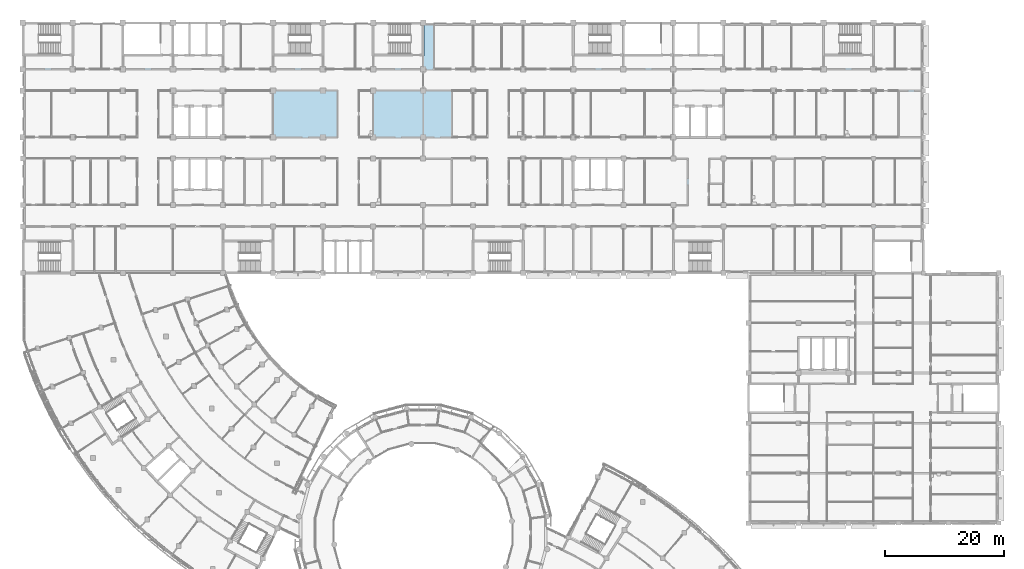
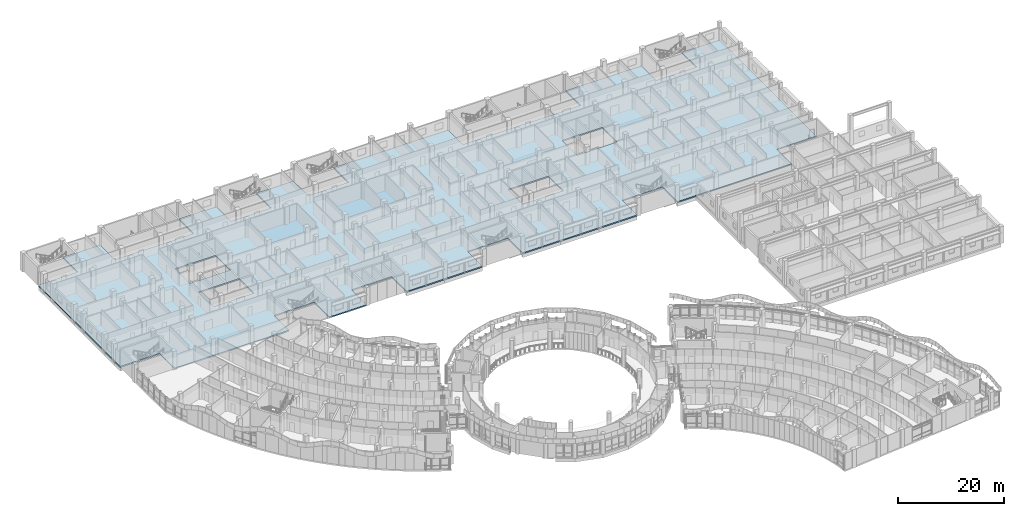
# One storey, part 41 of 109: 1 slab.
"""IFC4 building model written with IfcOpenShell, lengths in metres."""

from ifc_helpers import new_model, si_unit, direction, frame, origin, place, context, subcontext, project, spatial, polyline, outline, extrude, material, layer, layer_set, type_object, element, save


model = new_model("IFC4")

# Units and contexts
model_context = context("Model", 3, precision=1e-05, world=origin(), true_north=direction((0.0, 1.0)))
body_context = subcontext(model_context, "Body", "Model", "MODEL_VIEW")
ifc_project = project(units=[si_unit("LENGTHUNIT", "METRE"), si_unit("AREAUNIT", "SQUARE_METRE"), si_unit("VOLUMEUNIT", "CUBIC_METRE"), si_unit("PLANEANGLEUNIT", "RADIAN"), si_unit("MASSUNIT", "GRAM", prefix="KILO")], contexts=[model_context])

# Site, building, storey
site_placement = place(None, origin())
site = spatial("IfcSite", under=ifc_project, at=site_placement, CompositionType="ELEMENT")
building_placement = place(site_placement, origin())
building = spatial("IfcBuilding", under=site, at=building_placement, Name="Bougainvillea Quay General Hospital", CompositionType="ELEMENT")
storey_placement = place(building_placement, frame((0.0, 0.0, 12.60009765625)))
storey = spatial("IfcBuildingStorey", under=building, at=storey_placement, Name="L02", CompositionType="ELEMENT", Elevation=12.60009765625)

# Slab
ifc_material = material(Name="Concrete C35", Category="concrete")
ifc_layer = layer(ifc_material, 0.300048828125)
ifc_layer_set = layer_set([ifc_layer], Name="Concrete C35")
slab_type = type_object("IfcSlabType", Name="RC FLAT SLAB 300 C35", PredefinedType="FLOOR", material=ifc_layer_set)
slab_placement = place(storey_placement, frame((0.0, 0.0, -0.300048828125)))
element("IfcSlab", 1, at=slab_placement, inside=storey, type_object=slab_type, Name="Slab S3 L02", PredefinedType="FLOOR", context=body_context, shape_type="SweptSolid", body=[
    extrude(outline(polyline([(83.824951171875, 159.60009765625), (75.77490234375, 159.60009765625), (75.77490234375, 154.02490234375), (75.425048828125, 154.02490234375), (72.800048828125, 154.02490234375), (70.0, 154.02490234375), (67.199951171875, 154.02490234375), (58.97509765625, 154.02490234375), (58.625, 154.02490234375), (58.625, 159.425048828125), (58.625, 159.60009765625), (50.574951171875, 159.60009765625), (50.574951171875, 154.02490234375), (50.22509765625, 154.02490234375), (42.175048828125, 154.02490234375), (42.0, 154.02490234375), (42.0, 123.175048828125), (50.22509765625, 123.175048828125), (50.574951171875, 123.175048828125), (50.574951171875, 117.60009765625), (75.425048828125, 117.60009765625), (75.425048828125, 122.824951171875), (75.425048828125, 123.175048828125), (83.824951171875, 123.175048828125), (84.175048828125, 123.175048828125), (84.175048828125, 117.60009765625), (92.22509765625, 117.60009765625), (92.22509765625, 122.824951171875), (92.22509765625, 123.175048828125), (94.5, 123.175048828125), (96.60009765625, 123.175048828125), (98.699951171875, 123.175048828125), (100.625, 123.175048828125), (100.97509765625, 123.175048828125), (100.97509765625, 117.60009765625), (117.425048828125, 117.60009765625), (117.425048828125, 122.824951171875), (117.425048828125, 123.175048828125), (125.824951171875, 123.175048828125), (126.175048828125, 123.175048828125), (126.175048828125, 117.60009765625), (151.02490234375, 117.60009765625), (151.02490234375, 122.824951171875), (151.02490234375, 123.175048828125), (159.425048828125, 123.175048828125), (159.77490234375, 123.175048828125), (159.77490234375, 117.60009765625), (184.625, 117.60009765625), (184.625, 122.824951171875), (184.625, 123.175048828125), (193.02490234375, 123.175048828125), (193.199951171875, 123.175048828125), (193.199951171875, 159.60009765625), (184.97509765625, 159.60009765625), (184.97509765625, 154.02490234375), (184.625, 154.02490234375), (176.574951171875, 154.02490234375), (176.22509765625, 154.02490234375), (176.22509765625, 159.425048828125), (176.22509765625, 159.60009765625), (159.77490234375, 159.60009765625), (159.77490234375, 154.02490234375), (159.425048828125, 154.02490234375), (155.39990234375, 154.02490234375), (151.199951171875, 154.02490234375), (142.800048828125, 154.02490234375), (134.574951171875, 154.02490234375), (134.22509765625, 154.02490234375), (134.22509765625, 159.425048828125), (134.22509765625, 159.60009765625), (109.375, 159.60009765625), (109.375, 154.02490234375), (109.02490234375, 154.02490234375), (100.97509765625, 154.02490234375), (100.625, 154.02490234375), (100.625, 159.425048828125), (100.625, 159.60009765625), (92.574951171875, 159.60009765625), (92.574951171875, 154.02490234375), (92.22509765625, 154.02490234375), (84.175048828125, 154.02490234375), (83.824951171875, 154.02490234375), (83.824951171875, 159.425048828125), (83.824951171875, 159.60009765625)]), holes=[polyline([(151.02490234375, 140.22509765625), (151.02490234375, 145.425048828125), (151.02490234375, 145.77490234375), (154.0, 145.77490234375), (156.800048828125, 145.77490234375), (159.425048828125, 145.77490234375), (159.77490234375, 145.77490234375), (159.77490234375, 140.22509765625), (159.425048828125, 140.22509765625), (156.800048828125, 140.22509765625), (154.0, 140.22509765625), (151.375, 140.22509765625), (151.02490234375, 140.22509765625)]), polyline([(134.22509765625, 136.97509765625), (137.199951171875, 136.97509765625), (140.0, 136.97509765625), (142.625, 136.97509765625), (142.97509765625, 136.97509765625), (142.97509765625, 131.425048828125), (142.625, 131.425048828125), (140.0, 131.425048828125), (137.199951171875, 131.425048828125), (134.574951171875, 131.425048828125), (134.22509765625, 131.425048828125), (134.22509765625, 136.625), (134.22509765625, 136.97509765625)]), polyline([(70.0, 136.97509765625), (72.800048828125, 136.97509765625), (75.425048828125, 136.97509765625), (75.77490234375, 136.97509765625), (75.77490234375, 131.425048828125), (75.425048828125, 131.425048828125), (72.800048828125, 131.425048828125), (70.0, 131.425048828125), (67.375, 131.425048828125), (67.02490234375, 131.425048828125), (67.02490234375, 136.625), (67.02490234375, 136.97509765625), (70.0, 136.97509765625)]), polyline([(67.375, 140.22509765625), (67.02490234375, 140.22509765625), (67.02490234375, 145.425048828125), (67.02490234375, 145.77490234375), (70.0, 145.77490234375), (72.800048828125, 145.77490234375), (75.425048828125, 145.77490234375), (75.77490234375, 145.77490234375), (75.77490234375, 140.22509765625), (75.425048828125, 140.22509765625), (72.800048828125, 140.22509765625), (70.0, 140.22509765625), (67.375, 140.22509765625)])]), origin(), (0.0, 0.0, 1.0), 0.300048828125),
])

save(model, "model.ifc")
